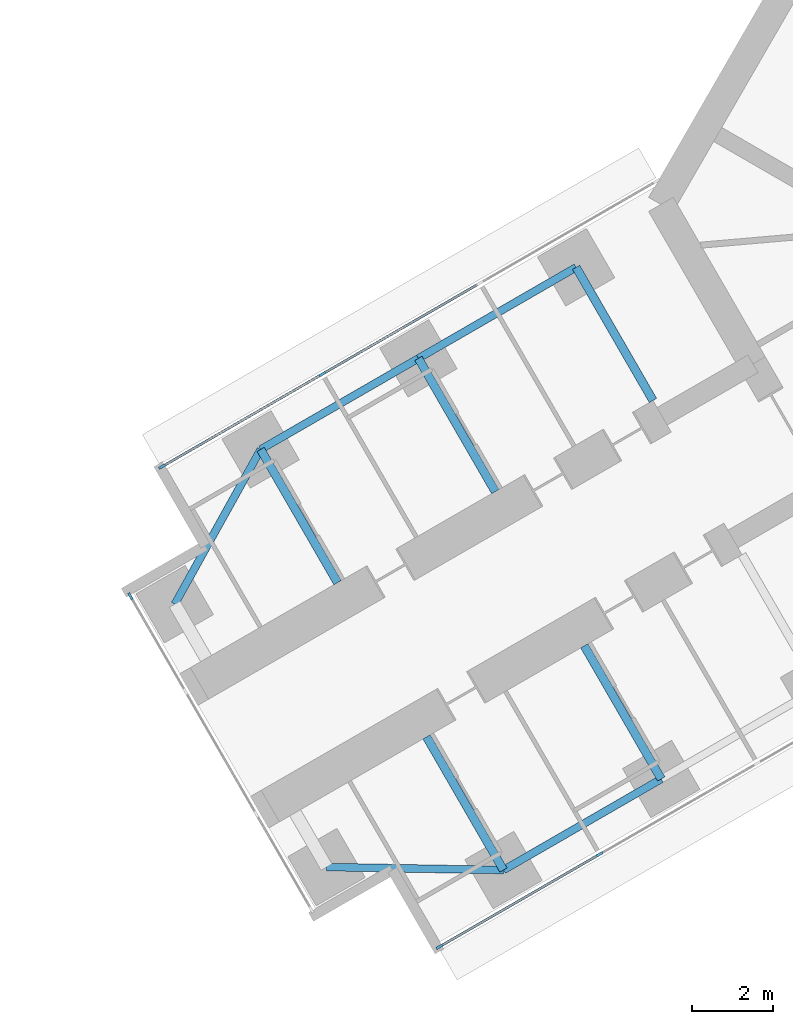
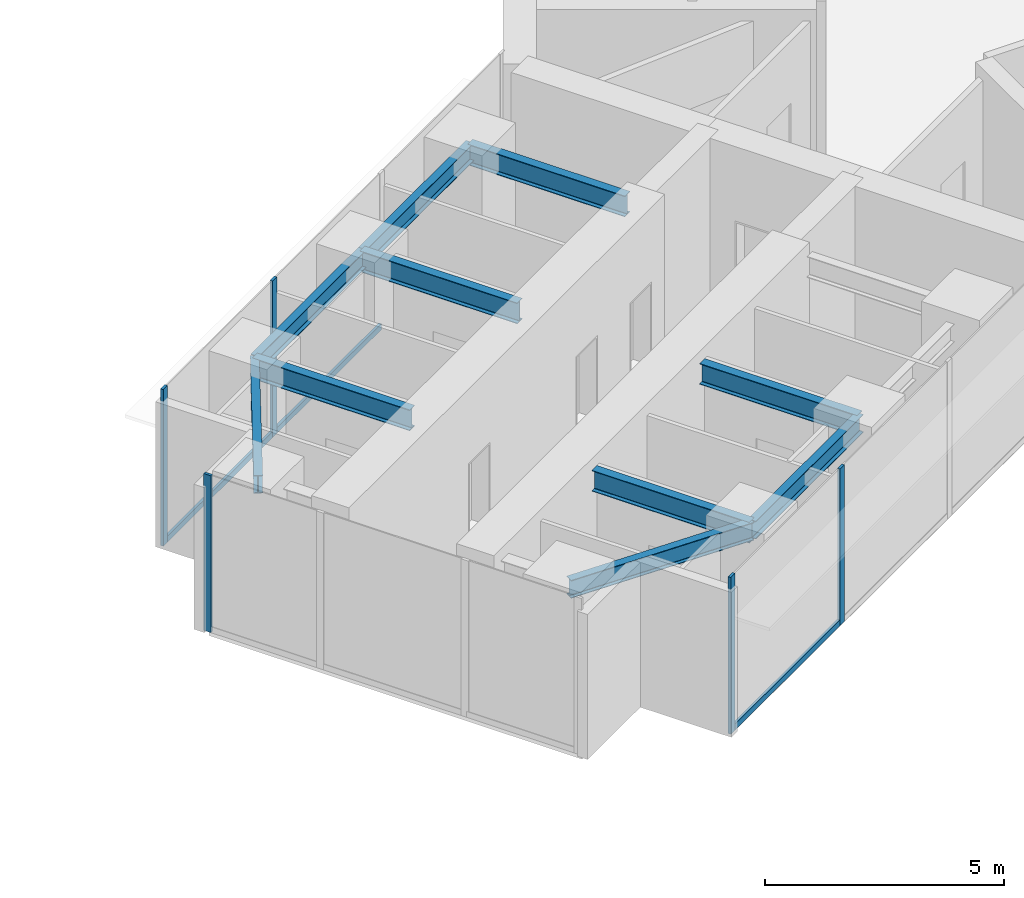
# One storey, part 4 of 25: 10 beams, 8 members, 3 elements without a shape of their own.
"""IFC4 building model written with IfcOpenShell, lengths in metres."""

from ifc_helpers import new_model, si_unit, direction, frame, origin, origin_2d, place, context, subcontext, project, spatial, rectangle, i_section, extrude, material, material_profile, profile_set, type_object, element, aggregate, save


model = new_model("IFC4")

# Units and contexts
model_context = context("Model", 3, precision=1e-05, world=origin(), true_north=direction((0.0, 1.0)))
body_context = subcontext(model_context, "Body", "Model", "MODEL_VIEW")
ifc_project = project(units=[si_unit("LENGTHUNIT", "METRE"), si_unit("AREAUNIT", "SQUARE_METRE"), si_unit("VOLUMEUNIT", "CUBIC_METRE"), si_unit("PLANEANGLEUNIT", "RADIAN"), si_unit("MASSUNIT", "GRAM", prefix="KILO")], contexts=[model_context])

# Site, building, storey
site_placement = place(None, origin())
site = spatial("IfcSite", under=ifc_project, at=site_placement, CompositionType="ELEMENT")
building_placement = place(site_placement, origin())
building = spatial("IfcBuilding", under=site, at=building_placement, Name="Upepo Twin Towers", CompositionType="ELEMENT")
storey_placement = place(building_placement, frame((0.0, 0.0, 88.5)))
storey = spatial("IfcBuildingStorey", under=building, at=storey_placement, Name="L21", CompositionType="ELEMENT", Elevation=88.5)

# Beams
ifc_material_1 = material(Name="Steel S355", Category="steel")
ifc_material_profile_1 = material_profile(ifc_material_1, i_section(OverallWidth=0.1904296875, OverallDepth=0.45703125, WebThickness=0.009033203125, FlangeThickness=0.014404296875, FilletRadius=0.01025390625, at=origin_2d()), Name="UB 457x191x74")
ifc_profile_set_1 = profile_set([ifc_material_profile_1], Name="Steel S355")
beam_type_1 = type_object("IfcBeamType", Name="Beam UB 457x191x74", PredefinedType="BEAM", material=ifc_profile_set_1)
beam_1_placement = place(storey_placement, frame((45.91162109375, -32.196044921875, 3.471435546875), z_axis=(-0.866031096941, -0.499990139034, 0.0), x_axis=(0.499990139034, -0.866031096941, 0.0)))
element("IfcBeam", 1, at=beam_1_placement, inside=storey, type_object=beam_type_1, Name="T2 edge beam BL 18.0-22.5", PredefinedType="BEAM", context=body_context, shape_type="SweptSolid", body=[
    extrude(i_section(OverallWidth=0.1904296875, OverallDepth=0.45703125, WebThickness=0.009033203125, FlangeThickness=0.014404296875, FilletRadius=0.01025390625, at=origin_2d()), origin(), (0.0, 0.0, 1.0), 4.5),
])
beam_2_placement = place(storey_placement, frame((42.014404296875, -34.446044921875, 3.471435546875), z_axis=(-0.999858804832, 0.016803880528, 0.0), x_axis=(-0.016803880528, -0.999858804832, 0.0)))
element("IfcBeam", 2, at=beam_2_placement, inside=storey, type_object=beam_type_1, Name="T2 nose edge beam BL", PredefinedType="BEAM", context=body_context, shape_type="SweptSolid", body=[
    extrude(i_section(OverallWidth=0.1904296875, OverallDepth=0.45703125, WebThickness=0.009033203125, FlangeThickness=0.014404296875, FilletRadius=0.01025390625, at=origin_2d()), origin(), (0.0, 0.0, 1.0), 4.373291015625),
])
beam_3_placement = place(storey_placement, frame((43.80859375, -19.553955078125, 3.471435546875), z_axis=(-0.866017533419, -0.500013631625, 0.0), x_axis=(0.500013631625, -0.866017533419, 0.0)))
element("IfcBeam", 3, at=beam_3_placement, inside=storey, type_object=beam_type_1, Name="T2 edge beam BR 13.5-18.0", PredefinedType="BEAM", context=body_context, shape_type="SweptSolid", body=[
    extrude(i_section(OverallWidth=0.1904296875, OverallDepth=0.45703125, WebThickness=0.009033203125, FlangeThickness=0.014404296875, FilletRadius=0.01025390625, at=origin_2d()), origin(), (0.0, 0.0, 1.0), 4.499755859375),
])
beam_4_placement = place(storey_placement, frame((39.91162109375, -21.803955078125, 3.471435546875), z_axis=(-0.866031096941, -0.499990139034, 0.0), x_axis=(0.499990139034, -0.866031096941, 0.0)))
element("IfcBeam", 4, at=beam_4_placement, inside=storey, type_object=beam_type_1, Name="T2 edge beam BR 18.0-22.5", PredefinedType="BEAM", context=body_context, shape_type="SweptSolid", body=[
    extrude(i_section(OverallWidth=0.1904296875, OverallDepth=0.45703125, WebThickness=0.009033203125, FlangeThickness=0.014404296875, FilletRadius=0.01025390625, at=origin_2d()), origin(), (0.0, 0.0, 1.0), 4.5),
])
beam_5_placement = place(storey_placement, frame((36.014404296875, -24.053955078125, 3.471435546875), z_axis=(-0.485363242752, -0.874312600038, 0.0), x_axis=(0.874312600038, -0.485363242752, 0.0)))
element("IfcBeam", 5, at=beam_5_placement, inside=storey, type_object=beam_type_1, Name="T2 nose edge beam BR", PredefinedType="BEAM", context=body_context, shape_type="SweptSolid", body=[
    extrude(i_section(OverallWidth=0.1904296875, OverallDepth=0.45703125, WebThickness=0.009033203125, FlangeThickness=0.014404296875, FilletRadius=0.01025390625, at=origin_2d()), origin(), (0.0, 0.0, 1.0), 4.373046875),
])
ifc_material_2 = material(Name="Steel S355", Category="steel")
ifc_material_profile_2 = material_profile(ifc_material_2, i_section(OverallWidth=0.209228515625, OverallDepth=0.533203125, WebThickness=0.010009765625, FlangeThickness=0.015625, FilletRadius=0.0126953125, at=origin_2d()), Name="UB 533x210x92")
ifc_profile_set_2 = profile_set([ifc_material_profile_2], Name="Steel S355")
beam_type_2 = type_object("IfcBeamType", Name="Beam UB 533x210x92", PredefinedType="BEAM", material=ifc_profile_set_2)
beam_6_placement = place(storey_placement, frame((45.91162109375, -32.196044921875, 3.433349609375), z_axis=(-0.500043160704, 0.866000483506, 0.0), x_axis=(-0.866000483506, -0.500043160704, 0.0)))
element("IfcBeam", 6, at=beam_6_placement, inside=storey, type_object=beam_type_2, Name="T2 girder BL at 18.0", PredefinedType="BEAM", context=body_context, shape_type="SweptSolid", body=[
    extrude(i_section(OverallWidth=0.209228515625, OverallDepth=0.533203125, WebThickness=0.010009765625, FlangeThickness=0.015625, FilletRadius=0.0126953125, at=origin_2d()), origin(), (0.0, 0.0, 1.0), 3.800048828125),
])
beam_7_placement = place(storey_placement, frame((42.014404296875, -34.446044921875, 3.433349609375), z_axis=(-0.499994975061, 0.866028304915, 0.0), x_axis=(-0.866028304915, -0.499994975061, 0.0)))
element("IfcBeam", 7, at=beam_7_placement, inside=storey, type_object=beam_type_2, Name="T2 girder BL at 22.5", PredefinedType="BEAM", context=body_context, shape_type="SweptSolid", body=[
    extrude(i_section(OverallWidth=0.209228515625, OverallDepth=0.533203125, WebThickness=0.010009765625, FlangeThickness=0.015625, FilletRadius=0.0126953125, at=origin_2d()), origin(), (0.0, 0.0, 1.0), 3.7998046875),
])
beam_8_placement = place(storey_placement, frame((43.80859375, -19.553955078125, 3.433349609375), z_axis=(0.500043160704, -0.866000483506, 0.0), x_axis=(0.866000483506, 0.500043160704, 0.0)))
element("IfcBeam", 8, at=beam_8_placement, inside=storey, type_object=beam_type_2, Name="T2 girder BR at 13.5", PredefinedType="BEAM", context=body_context, shape_type="SweptSolid", body=[
    extrude(i_section(OverallWidth=0.209228515625, OverallDepth=0.533203125, WebThickness=0.010009765625, FlangeThickness=0.015625, FilletRadius=0.0126953125, at=origin_2d()), origin(), (0.0, 0.0, 1.0), 3.800048828125),
])
for number, where, z_axis, x_axis, name in (
    (9, (39.91162109375, -21.803955078125, 3.433349609375), (0.499994975061, -0.866028304915, 0.0), (0.866028304915, 0.499994975061, 0.0), "T2 girder BR at 18.0"),
    (10, (36.014404296875, -24.053955078125, 3.433349609375), (0.499994975061, -0.866028304915, 0.0), (0.866028304915, 0.499994975061, 0.0), "T2 girder BR at 22.5"),
):
    element("IfcBeam", number, at=place(storey_placement, frame(where, z_axis=z_axis, x_axis=x_axis)), inside=storey, type_object=beam_type_2, Name=name, PredefinedType="BEAM", context=body_context, shape_type="SweptSolid", body=[
        extrude(i_section(OverallWidth=0.209228515625, OverallDepth=0.533203125, WebThickness=0.010009765625, FlangeThickness=0.015625, FilletRadius=0.0126953125, at=origin_2d()), origin(), (0.0, 0.0, 1.0), 3.7998046875),
    ])

# Curtain wall, members
ifc_material_3 = material(Name="Aluminium and fritted glass", Category="aluminium")
curtain_wall_type = type_object("IfcCurtainWallType", Name="Tower curtain wall TW1, fritted glass", PredefinedType="NOTDEFINED", material=ifc_material_3)
curtain_wall_1_placement = place(storey_placement, origin())
curtain_wall_1 = element("IfcCurtainWall", 11, at=curtain_wall_1_placement, inside=storey, type_object=curtain_wall_type, Name="T2 L21 wing B flank L curtain wall", PredefinedType="NOTDEFINED")
ifc_material_4 = material(Name="Aluminium mullion", Category="aluminium")
ifc_material_profile_3 = material_profile(ifc_material_4, rectangle(XDim=0.06494140625, YDim=0.179931640625, at=origin_2d()), Name="MULLION 65x180")
ifc_profile_set_3 = profile_set([ifc_material_profile_3], Name="Aluminium mullion")
member_type_1 = type_object("IfcMemberType", Name="Mullion 65x180 TW1", PredefinedType="MULLION", material=ifc_profile_set_3)
member_1_placement = place(storey_placement, frame((44.387939453125, -34.057373046875, 0.0), z_axis=(0.0, 0.0, 1.0), x_axis=(0.500000024426, -0.866025389682, 0.0)))
member_1 = element("IfcMember", 12, at=member_1_placement, type_object=member_type_1, Name="T2 L21 wing B flank L curtain wall mullion 3", PredefinedType="MULLION", context=body_context, shape_type="SweptSolid", body=[
    extrude(rectangle(XDim=0.06494140625, YDim=0.179931640625, at=origin_2d()), origin(), (0.0, 0.0, 1.0), 4.0),
])
member_2_placement = place(storey_placement, frame((40.432373046875, -36.341064453125, 0.0), z_axis=(0.0, 0.0, 1.0), x_axis=(0.500000024426, -0.866025389682, 0.0)))
member_2 = element("IfcMember", 13, at=member_2_placement, type_object=member_type_1, Name="T2 L21 wing B flank L curtain wall mullion 4", PredefinedType="MULLION", context=body_context, shape_type="SweptSolid", body=[
    extrude(rectangle(XDim=0.06494140625, YDim=0.179931640625, at=origin_2d()), origin(), (0.0, 0.0, 1.0), 4.0),
])

curtain_wall_2_placement = place(storey_placement, origin())
curtain_wall_2 = element("IfcCurtainWall", 14, at=curtain_wall_2_placement, inside=storey, type_object=curtain_wall_type, Name="T2 L21 wing B flank R curtain wall", PredefinedType="NOTDEFINED")
member_3_placement = place(storey_placement, frame((33.58251953125, -24.4765625, 0.0), z_axis=(0.0, 0.0, 1.0), x_axis=(-0.500000024426, 0.866025389682, 0.0)))
member_3 = element("IfcMember", 15, at=member_3_placement, type_object=member_type_1, Name="T2 L21 wing B flank R curtain wall mullion 1", PredefinedType="MULLION", context=body_context, shape_type="SweptSolid", body=[
    extrude(rectangle(XDim=0.06494140625, YDim=0.179931640625, at=origin_2d()), origin(), (0.0, 0.0, 1.0), 4.0),
])
member_4_placement = place(storey_placement, frame((37.5380859375, -22.192626953125, 0.0), z_axis=(0.0, 0.0, 1.0), x_axis=(-0.500000024426, 0.866025389682, 0.0)))
member_4 = element("IfcMember", 16, at=member_4_placement, type_object=member_type_1, Name="T2 L21 wing B flank R curtain wall mullion 2", PredefinedType="MULLION", context=body_context, shape_type="SweptSolid", body=[
    extrude(rectangle(XDim=0.06494140625, YDim=0.179931640625, at=origin_2d()), origin(), (0.0, 0.0, 1.0), 4.0),
])

# Curtain wall, member
curtain_wall_3_placement = place(storey_placement, origin())
curtain_wall_3 = element("IfcCurtainWall", 17, at=curtain_wall_3_placement, inside=storey, type_object=curtain_wall_type, Name="T2 L21 wing B nose curtain wall", PredefinedType="NOTDEFINED")
member_5_placement = place(storey_placement, frame((32.796875, -27.68115234375, 0.0), z_axis=(0.0, 0.0, 1.0), x_axis=(0.866025386174, 0.500000030502, 0.0)))
member_5 = element("IfcMember", 18, at=member_5_placement, type_object=member_type_1, Name="T2 L21 wing B nose curtain wall mullion 1", PredefinedType="MULLION", context=body_context, shape_type="SweptSolid", body=[
    extrude(rectangle(XDim=0.06494140625, YDim=0.179931640625, at=origin_2d()), origin(), (0.0, 0.0, 1.0), 4.0),
])
aggregate(curtain_wall_3, [member_5])

# Member
ifc_material_5 = material(Name="Aluminium transom", Category="aluminium")
ifc_material_profile_4 = material_profile(ifc_material_5, rectangle(XDim=0.06494140625, YDim=0.14990234375, at=origin_2d()), Name="TRANSOM 65x150")
ifc_profile_set_4 = profile_set([ifc_material_profile_4], Name="Aluminium transom")
member_type_2 = type_object("IfcMemberType", Name="Transom 65x150 TW1", PredefinedType="USERDEFINED", material=ifc_profile_set_4)
member_6_placement = place(storey_placement, frame((44.35986328125, -34.073486328125, 0.074951171875), z_axis=(-0.866035699072, -0.499982167615, 0.0), x_axis=(0.499982167615, -0.866035699072, 0.0)))
member_6 = element("IfcMember", 19, at=member_6_placement, type_object=member_type_2, Name="T2 L21 wing B flank L curtain wall transom 3", ObjectType="TRANSOM", PredefinedType="USERDEFINED", context=body_context, shape_type="SweptSolid", body=[
    extrude(rectangle(XDim=0.06494140625, YDim=0.14990234375, at=origin_2d()), origin(), (0.0, 0.0, 1.0), 4.502685546875),
])

aggregate(curtain_wall_1, [member_1, member_2, member_6])

member_7_placement = place(storey_placement, frame((33.610595703125, -24.460205078125, 0.074951171875), z_axis=(0.866022143554, 0.500005646842, 0.0), x_axis=(-0.500005646842, 0.866022143554, 0.0)))
member_7 = element("IfcMember", 20, at=member_7_placement, type_object=member_type_2, Name="T2 L21 wing B flank R curtain wall transom 1", ObjectType="TRANSOM", PredefinedType="USERDEFINED", context=body_context, shape_type="SweptSolid", body=[
    extrude(rectangle(XDim=0.06494140625, YDim=0.14990234375, at=origin_2d()), origin(), (0.0, 0.0, 1.0), 4.50244140625),
])

member_8_placement = place(storey_placement, frame((37.566162109375, -22.176513671875, 0.074951171875), z_axis=(0.866022410713, 0.500005184116, 0.0), x_axis=(-0.500005184116, 0.866022410713, 0.0)))
member_8 = element("IfcMember", 21, at=member_8_placement, type_object=member_type_2, Name="T2 L21 wing B flank R curtain wall transom 2", ObjectType="TRANSOM", PredefinedType="USERDEFINED", context=body_context, shape_type="SweptSolid", body=[
    extrude(rectangle(XDim=0.06494140625, YDim=0.14990234375, at=origin_2d()), origin(), (0.0, 0.0, 1.0), 4.43505859375),
])

aggregate(curtain_wall_2, [member_3, member_4, member_7, member_8])

save(model, "model.ifc")
